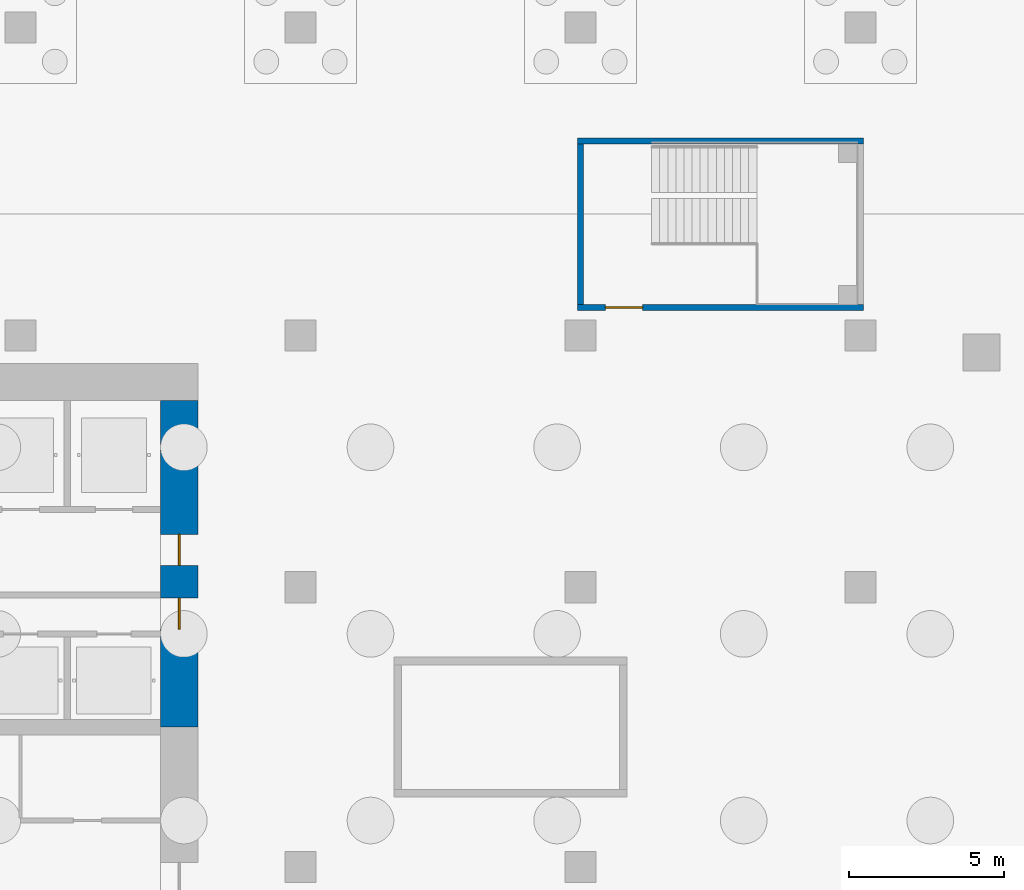
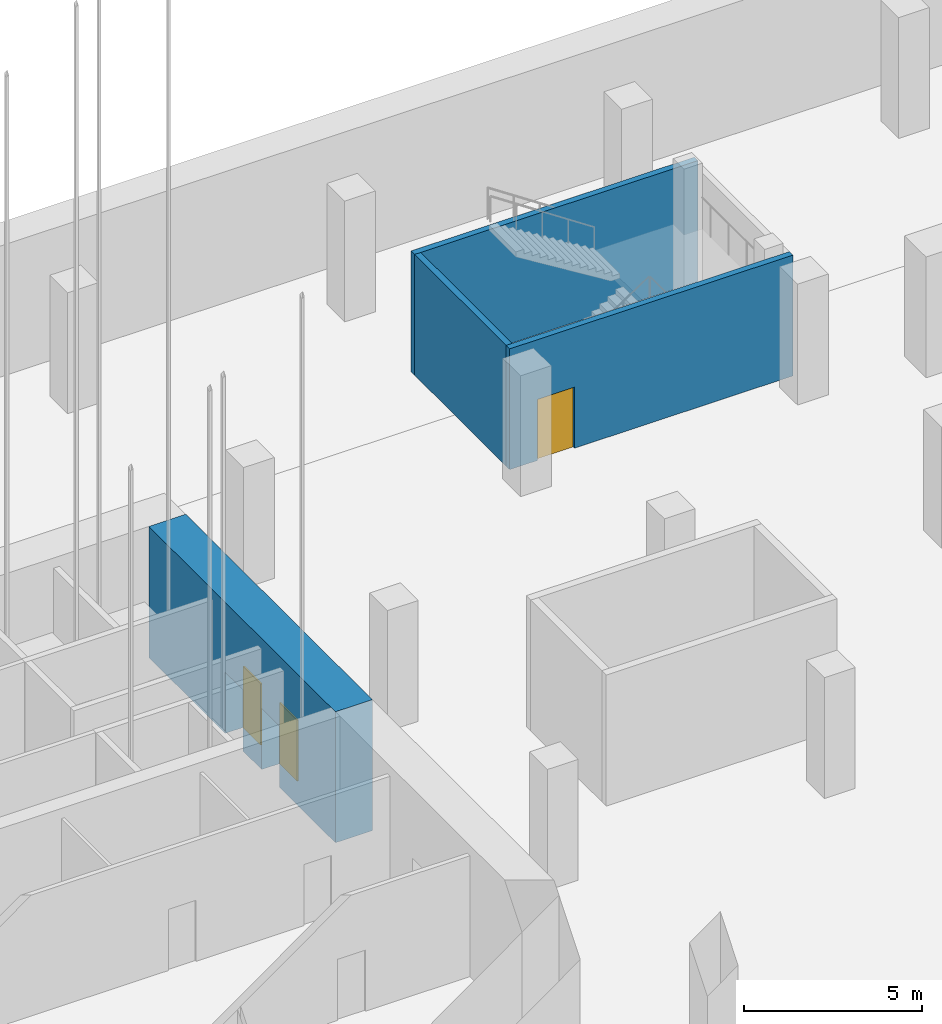
# One storey, part 21 of 30: 4 walls, 3 doors, 3 openings.
"""IFC4 building model written with IfcOpenShell, lengths in metres."""

from ifc_helpers import new_model, si_unit, direction, frame, frame_2d, origin, place, context, subcontext, project, spatial, rectangle, extrude, material, layer, layer_set, type_object, element, fill, save


model = new_model("IFC4")

# Units and contexts
model_context = context("Model", 3, precision=1e-05, world=origin(), true_north=direction((0.0, 1.0)))
body_context = subcontext(model_context, "Body", "Model", "MODEL_VIEW")
ifc_project = project(units=[si_unit("LENGTHUNIT", "METRE"), si_unit("AREAUNIT", "SQUARE_METRE"), si_unit("VOLUMEUNIT", "CUBIC_METRE"), si_unit("PLANEANGLEUNIT", "RADIAN"), si_unit("MASSUNIT", "GRAM", prefix="KILO")], contexts=[model_context])

# Site, building, storey
site_placement = place(None, origin())
site = spatial("IfcSite", under=ifc_project, at=site_placement, CompositionType="ELEMENT")
building_placement = place(site_placement, origin())
building = spatial("IfcBuilding", under=site, at=building_placement, Name="Cinnabar Reach Civic Tower", CompositionType="ELEMENT")
storey_placement = place(building_placement, frame((0.0, 0.0, -14.0)))
storey = spatial("IfcBuildingStorey", under=building, at=storey_placement, Name="B3", CompositionType="ELEMENT", Elevation=-14.0)

# Wall, openings, doors
ifc_material_1 = material(Name="Concrete C70", Category="concrete")
ifc_layer_1 = layer(ifc_material_1, 1.2)
ifc_layer_set_1 = layer_set([ifc_layer_1], Name="Core wall 1200 EI 180")
wall_type_1 = type_object("IfcWallType", Name="Core wall 1200 EI 180", PredefinedType="SOLIDWALL", material=ifc_layer_set_1)
wall_1_placement = place(storey_placement, frame((23.1, 31.5, 0.0), z_axis=(0.0, 0.0, 1.0), x_axis=(0.0, 1.0, 0.0)))
wall_1 = element("IfcWall", 1, at=wall_1_placement, inside=storey, type_object=wall_type_1, Name="Core wall T1 B3 E2", PredefinedType="SOLIDWALL", context=body_context, shape_type="SweptSolid", body=[
    extrude(rectangle(XDim=10.5, YDim=1.2, at=frame_2d((5.25, 0.0))), origin(), (0.0, 0.0, 1.0), 4.5),
])
opening_1_placement = place(wall_1_placement, frame((3.15, 0.0, 0.0)))
opening_1 = element("IfcOpeningElement", 2, at=opening_1_placement, cuts=wall_1, Name="Opening D3005", PredefinedType="OPENING", context=body_context, shape_type="SweptSolid", body=[
    extrude(rectangle(XDim=1.0, YDim=2.1, at=frame_2d((0.5, 1.05))), frame((0.0, 0.61, 0.0), z_axis=(0.0, -1.0, 0.0), x_axis=(1.0, 0.0, 0.0)), (0.0, 0.0, 1.0), 1.22),
])
opening_2_placement = place(wall_1_placement, frame((5.2, 0.0, 0.0)))
opening_2 = element("IfcOpeningElement", 3, at=opening_2_placement, cuts=wall_1, Name="Opening D3006", PredefinedType="OPENING", context=body_context, shape_type="SweptSolid", body=[
    extrude(rectangle(XDim=1.0, YDim=2.1, at=frame_2d((0.5, 1.05))), frame((0.0, 0.61, 0.0), z_axis=(0.0, -1.0, 0.0), x_axis=(1.0, 0.0, 0.0)), (0.0, 0.0, 1.0), 1.22),
])
ifc_material_2 = material(Name="Timber door leaf in steel frame", Category="steel")
door_type_1 = type_object("IfcDoorType", Name="Firefighting lobby door 1000 x 2100 T1", OperationType="SINGLE_SWING_LEFT", PredefinedType="DOOR", material=ifc_material_2)
door_1_placement = place(opening_2_placement, frame((1.0, 0.0, 0.0), z_axis=(0.0, 0.0, 1.0), x_axis=(-1.0, 0.0, 0.0)))
door_1 = element("IfcDoor", 4, at=door_1_placement, inside=storey, type_object=door_type_1, Name="Door D3006", OperationType="SINGLE_SWING_RIGHT", OverallHeight=2.1, OverallWidth=1.0, PredefinedType="DOOR", context=body_context, shape_type="SweptSolid", body=[
    extrude(rectangle(XDim=1.0, YDim=2.1, at=frame_2d((0.5, 1.05))), frame((0.0, 0.025, 0.0), z_axis=(0.0, -1.0, 0.0), x_axis=(1.0, 0.0, 0.0)), (0.0, 0.0, 1.0), 0.05),
])
fill(opening_2, door_1)
door_type_2 = type_object("IfcDoorType", Name="Single swing door 1000 x 2100 T1", OperationType="SINGLE_SWING_LEFT", PredefinedType="DOOR", material=ifc_material_2)
door_2_placement = place(opening_1_placement, frame((1.0, 0.0, 0.0), z_axis=(0.0, 0.0, 1.0), x_axis=(-1.0, 0.0, 0.0)))
door_2 = element("IfcDoor", 5, at=door_2_placement, inside=storey, type_object=door_type_2, Name="Door D3005", OperationType="SINGLE_SWING_RIGHT", OverallHeight=2.1, OverallWidth=1.0, PredefinedType="DOOR", context=body_context, shape_type="SweptSolid", body=[
    extrude(rectangle(XDim=1.0, YDim=2.1, at=frame_2d((0.5, 1.05))), frame((0.0, 0.025, 0.0), z_axis=(0.0, -1.0, 0.0), x_axis=(1.0, 0.0, 0.0)), (0.0, 0.0, 1.0), 0.05),
])
fill(opening_1, door_2)

# Wall
ifc_material_3 = material(Name="Concrete C40", Category="concrete")
ifc_layer_2 = layer(ifc_material_3, 0.2)
ifc_layer_set_2 = layer_set([ifc_layer_2], Name="Podium stair shaft wall 200 EI 120")
wall_type_2 = type_object("IfcWallType", Name="Podium stair shaft wall 200 EI 120", PredefinedType="SOLIDWALL", material=ifc_layer_set_2)
wall_2_placement = place(storey_placement, frame((35.9, 50.35, 0.0), z_axis=(0.0, 0.0, 1.0), x_axis=(1.0, 0.0, 0.0)))
element("IfcWall", 6, at=wall_2_placement, inside=storey, type_object=wall_type_2, Name="Wall B3 21", PredefinedType="SOLIDWALL", context=body_context, shape_type="SweptSolid", body=[
    extrude(rectangle(XDim=9.2, YDim=0.2, at=frame_2d((4.6, 0.0))), origin(), (0.0, 0.0, 1.0), 4.15),
])

# Wall, opening, door
wall_3_placement = place(storey_placement, frame((35.9, 45.0, 0.0), z_axis=(0.0, 0.0, 1.0), x_axis=(1.0, 0.0, 0.0)))
wall_3 = element("IfcWall", 7, at=wall_3_placement, inside=storey, type_object=wall_type_2, Name="Wall B3 23", PredefinedType="SOLIDWALL", context=body_context, shape_type="SweptSolid", body=[
    extrude(rectangle(XDim=9.2, YDim=0.2, at=frame_2d((4.6, 0.0))), origin(), (0.0, 0.0, 1.0), 4.15),
])
opening_3_placement = place(wall_3_placement, frame((0.9, 0.0, 0.0)))
opening_3 = element("IfcOpeningElement", 8, at=opening_3_placement, cuts=wall_3, Name="Opening D1326", PredefinedType="OPENING", context=body_context, shape_type="SweptSolid", body=[
    extrude(rectangle(XDim=1.2, YDim=2.1, at=frame_2d((0.6, 1.05))), frame((0.0, 0.11, 0.0), z_axis=(0.0, -1.0, 0.0), x_axis=(1.0, 0.0, 0.0)), (0.0, 0.0, 1.0), 0.22),
])
ifc_material_4 = material(Name="Painted steel door leaf", Category="steel")
door_type_3 = type_object("IfcDoorType", Name="Podium single door 1200x2100", OperationType="SINGLE_SWING_LEFT", PredefinedType="DOOR", material=ifc_material_4)
door_3_placement = place(opening_3_placement, origin())
door_3 = element("IfcDoor", 9, at=door_3_placement, inside=storey, type_object=door_type_3, Name="Door D1326", OperationType="SINGLE_SWING_RIGHT", OverallHeight=2.1, OverallWidth=1.2, PredefinedType="DOOR", context=body_context, shape_type="SweptSolid", body=[
    extrude(rectangle(XDim=1.2, YDim=2.1, at=frame_2d((0.6, 1.05))), frame((0.0, 0.025, 0.0), z_axis=(0.0, -1.0, 0.0), x_axis=(1.0, 0.0, 0.0)), (0.0, 0.0, 1.0), 0.05),
])
fill(opening_3, door_3)

# Wall
wall_4_placement = place(storey_placement, frame((36.0, 45.1, 0.0), z_axis=(0.0, 0.0, 1.0), x_axis=(0.0, 1.0, 0.0)))
element("IfcWall", 10, at=wall_4_placement, inside=storey, type_object=wall_type_2, Name="Wall B3 24", PredefinedType="SOLIDWALL", context=body_context, shape_type="SweptSolid", body=[
    extrude(rectangle(XDim=5.15, YDim=0.2, at=frame_2d((2.575, 0.0))), origin(), (0.0, 0.0, 1.0), 4.15),
])

save(model, "model.ifc")
